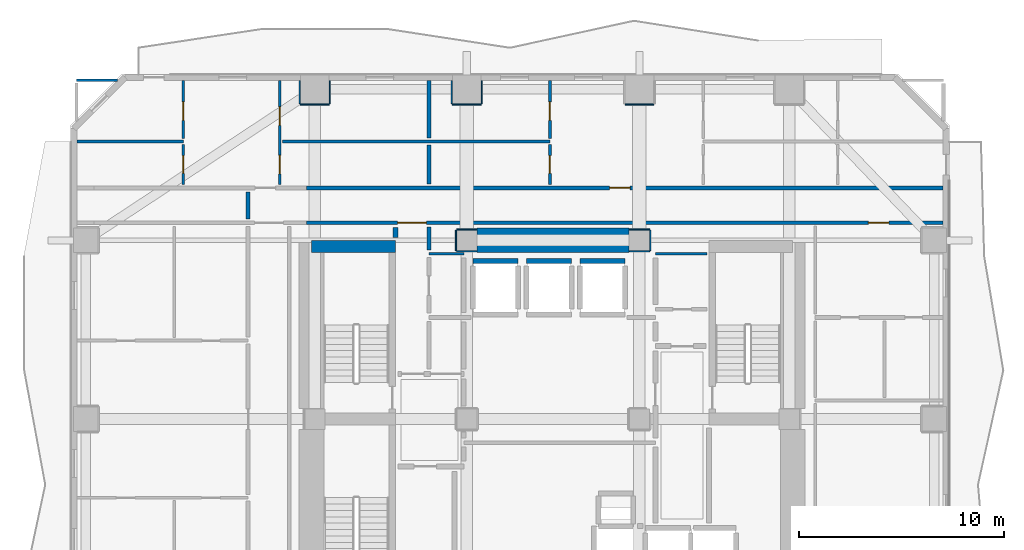
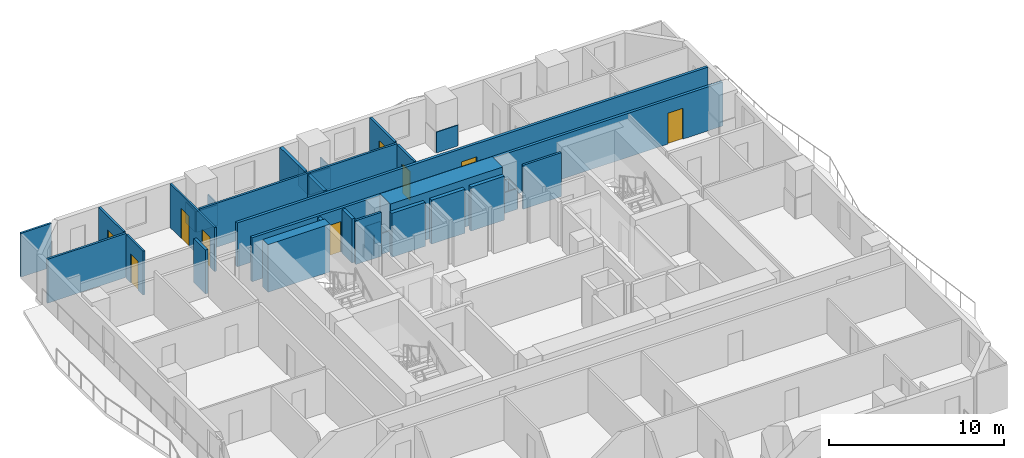
# One storey, part 6 of 11: 35 walls, 9 doors, 9 openings.
"""IFC4 building model written with IfcOpenShell, lengths in metres."""

from ifc_helpers import new_model, si_unit, direction, frame, frame_2d, origin, place, context, subcontext, project, spatial, rectangle, extrude, material, layer, layer_set, type_object, element, fill, save


model = new_model("IFC4")

# Units and contexts
model_context = context("Model", 3, precision=1e-05, world=origin(), true_north=direction((0.0, 1.0)))
body_context = subcontext(model_context, "Body", "Model", "MODEL_VIEW")
ifc_project = project(units=[si_unit("LENGTHUNIT", "METRE"), si_unit("AREAUNIT", "SQUARE_METRE"), si_unit("VOLUMEUNIT", "CUBIC_METRE"), si_unit("PLANEANGLEUNIT", "RADIAN"), si_unit("MASSUNIT", "GRAM", prefix="KILO")], contexts=[model_context])

# Site, building, storey
site_placement = place(None, origin())
site = spatial("IfcSite", under=ifc_project, at=site_placement, CompositionType="ELEMENT")
building_placement = place(site_placement, origin())
building = spatial("IfcBuilding", under=site, at=building_placement, Name="Solanera Arch Residences", CompositionType="ELEMENT")
storey_placement = place(building_placement, frame((0.0, 0.0, 31.9599609375)))
storey = spatial("IfcBuildingStorey", under=building, at=storey_placement, Name="L08", CompositionType="ELEMENT", Elevation=31.9599609375)

# Walls
ifc_material_1 = material(Name="Fire-Rated Gypsum Stud Partition", Category="gypsum")
ifc_layer_1 = layer(ifc_material_1, 0.06005859375)
ifc_layer_set_1 = layer_set([ifc_layer_1], Name="Fire-Rated Gypsum Stud Partition")
wall_type_1 = type_object("IfcWallType", Name="Column Acoustic Furring Wall 60", PredefinedType="PARTITIONING", material=ifc_layer_set_1)
for number, where, z_axis, x_axis, name in (
    (1, (20.300048828125, 38.867919921875, 0.0), (0.0, 0.0, 1.0), (1.0, 0.0, 0.0), "L08 Column Furring 3S"),
    (2, (20.300048828125, 39.931884765625, 0.0), (0.0, 0.0, 1.0), (1.0, 0.0, 0.0), "L08 Column Furring 3N"),
):
    element("IfcWall", number, at=place(storey_placement, frame(where, z_axis=z_axis, x_axis=x_axis)), inside=storey, type_object=wall_type_1, Name=name, PredefinedType="PARTITIONING", context=body_context, shape_type="SweptSolid", body=[
        extrude(rectangle(XDim=0.989990234375, YDim=0.06005859375, at=frame_2d((0.4951171875, 0.0))), origin(), (0.0, 0.0, 1.0), 1.449951171875),
    ])
wall_1_placement = place(storey_placement, frame((20.26806640625, 38.89990234375, 0.0), z_axis=(0.0, 0.0, 1.0), x_axis=(0.0, 1.0, 0.0)))
element("IfcWall", 3, at=wall_1_placement, inside=storey, type_object=wall_type_1, Name="L08 Column Furring 3W", PredefinedType="PARTITIONING", context=body_context, shape_type="SweptSolid", body=[
    extrude(rectangle(XDim=1.0, YDim=0.06005859375, at=frame_2d((0.5, 0.0))), origin(), (0.0, 0.0, 1.0), 1.449951171875),
])
for number, where, z_axis, x_axis, name in (
    (4, (28.7099609375, 38.867919921875, 0.0), (0.0, 0.0, 1.0), (1.0, 0.0, 0.0), "L08 Column Furring 4S"),
    (5, (28.7099609375, 39.931884765625, 0.0), (0.0, 0.0, 1.0), (1.0, 0.0, 0.0), "L08 Column Furring 4N"),
):
    element("IfcWall", number, at=place(storey_placement, frame(where, z_axis=z_axis, x_axis=x_axis)), inside=storey, type_object=wall_type_1, Name=name, PredefinedType="PARTITIONING", context=body_context, shape_type="SweptSolid", body=[
        extrude(rectangle(XDim=0.989990234375, YDim=0.06005859375, at=frame_2d((0.4951171875, 0.0))), origin(), (0.0, 0.0, 1.0), 1.449951171875),
    ])
wall_2_placement = place(storey_placement, frame((29.73193359375, 38.89990234375, 0.0), z_axis=(0.0, 0.0, 1.0), x_axis=(0.0, 1.0, 0.0)))
element("IfcWall", 6, at=wall_2_placement, inside=storey, type_object=wall_type_1, Name="L08 Column Furring 4E", PredefinedType="PARTITIONING", context=body_context, shape_type="SweptSolid", body=[
    extrude(rectangle(XDim=1.0, YDim=0.06005859375, at=frame_2d((0.5, 0.0))), origin(), (0.0, 0.0, 1.0), 1.449951171875),
])
wall_3_placement = place(storey_placement, frame((12.699951171875, 46.01806640625, 0.0), z_axis=(0.0, 0.0, 1.0), x_axis=(1.0, 0.0, 0.0)))
element("IfcWall", 7, at=wall_3_placement, inside=storey, type_object=wall_type_1, Name="L08 Column Furring 10S", PredefinedType="PARTITIONING", context=body_context, shape_type="SweptSolid", body=[
    extrude(rectangle(XDim=1.400146484375, YDim=0.06005859375, at=frame_2d((0.7001953125, 0.0))), origin(), (0.0, 0.0, 1.0), 1.449951171875),
])
for number, where, z_axis, x_axis, name in (
    (8, (12.66796875, 46.050048828125, 0.0), (0.0, 0.0, 1.0), (0.0, 1.0, 0.0), "L08 Column Furring 10W"),
    (9, (14.132080078125, 46.050048828125, 0.0), (0.0, 0.0, 1.0), (0.0, 1.0, 0.0), "L08 Column Furring 10E"),
):
    element("IfcWall", number, at=place(storey_placement, frame(where, z_axis=z_axis, x_axis=x_axis)), inside=storey, type_object=wall_type_1, Name=name, PredefinedType="PARTITIONING", context=body_context, shape_type="SweptSolid", body=[
        extrude(rectangle(XDim=1.119873046875, YDim=0.06005859375, at=frame_2d((0.56005859375, 0.0))), origin(), (0.0, 0.0, 1.0), 1.449951171875),
    ])
wall_4_placement = place(storey_placement, frame((20.10009765625, 46.01806640625, 0.0), z_axis=(0.0, 0.0, 1.0), x_axis=(1.0, 0.0, 0.0)))
element("IfcWall", 10, at=wall_4_placement, inside=storey, type_object=wall_type_1, Name="L08 Column Furring 12S", PredefinedType="PARTITIONING", context=body_context, shape_type="SweptSolid", body=[
    extrude(rectangle(XDim=1.39990234375, YDim=0.06005859375, at=frame_2d((0.699951171875, 0.0))), origin(), (0.0, 0.0, 1.0), 1.449951171875),
])
for number, where, z_axis, x_axis, name in (
    (11, (20.068115234375, 46.050048828125, 0.0), (0.0, 0.0, 1.0), (0.0, 1.0, 0.0), "L08 Column Furring 12W"),
    (12, (21.531982421875, 46.050048828125, 0.0), (0.0, 0.0, 1.0), (0.0, 1.0, 0.0), "L08 Column Furring 12E"),
):
    element("IfcWall", number, at=place(storey_placement, frame(where, z_axis=z_axis, x_axis=x_axis)), inside=storey, type_object=wall_type_1, Name=name, PredefinedType="PARTITIONING", context=body_context, shape_type="SweptSolid", body=[
        extrude(rectangle(XDim=1.119873046875, YDim=0.06005859375, at=frame_2d((0.56005859375, 0.0))), origin(), (0.0, 0.0, 1.0), 1.449951171875),
    ])
wall_5_placement = place(storey_placement, frame((28.5, 46.01806640625, 0.0), z_axis=(0.0, 0.0, 1.0), x_axis=(1.0, 0.0, 0.0)))
element("IfcWall", 13, at=wall_5_placement, inside=storey, type_object=wall_type_1, Name="L08 Column Furring 14S", PredefinedType="PARTITIONING", context=body_context, shape_type="SweptSolid", body=[
    extrude(rectangle(XDim=1.39990234375, YDim=0.06005859375, at=frame_2d((0.699951171875, 0.0))), origin(), (0.0, 0.0, 1.0), 1.449951171875),
])
ifc_material_2 = material(Name="Concrete C55/67 (f'c = 60 MPa)", Category="concrete")
ifc_layer_2 = layer(ifc_material_2, 1.199951171875)
ifc_layer_set_2 = layer_set([ifc_layer_2], Name="Concrete C55/67 (f'c = 60 MPa)")
wall_type_2 = type_object("IfcWallType", Name="Core Shear Wall CW-1200", PredefinedType="SHEAR", material=ifc_layer_set_2)
wall_6_placement = place(storey_placement, frame((21.304931640625, 39.39990234375, 0.0), z_axis=(0.0, 0.0, 1.0), x_axis=(1.0, 0.0, 0.0)))
element("IfcWall", 14, at=wall_6_placement, inside=storey, type_object=wall_type_2, Name="L08 Central North Core Shear Wall", PredefinedType="SHEAR", context=body_context, shape_type="SweptSolid", body=[
    extrude(rectangle(XDim=7.39013671875, YDim=1.199951171875, at=frame_2d((3.695068359375, 0.0))), origin(), (0.0, 0.0, 1.0), 3.320068359375),
])
ifc_material_3 = material(Name="Concrete C40/50 (f'c = 45 MPa)", Category="concrete")
ifc_layer_3 = layer(ifc_material_3, 0.60009765625)
ifc_layer_set_3 = layer_set([ifc_layer_3], Name="Concrete C40/50 (f'c = 45 MPa)")
wall_type_3 = type_object("IfcWallType", Name="Core Shear Wall CW-600", PredefinedType="SHEAR", material=ifc_layer_set_3)
wall_7_placement = place(storey_placement, frame((13.239990234375, 39.10009765625, 0.0), z_axis=(0.0, 0.0, 1.0), x_axis=(1.0, 0.0, 0.0)))
element("IfcWall", 15, at=wall_7_placement, inside=storey, type_object=wall_type_3, Name="L08 North-West Core Shear Wall", PredefinedType="SHEAR", context=body_context, shape_type="SweptSolid", body=[
    extrude(rectangle(XDim=4.080078125, YDim=0.60009765625, at=frame_2d((2.0400390625, 0.0))), origin(), (0.0, 0.0, 1.0), 3.320068359375),
])

# Wall, openings, doors
ifc_material_4 = material(Name="Autoclaved Aerated Concrete Blockwork", Category="masonry")
ifc_layer_4 = layer(ifc_material_4, 0.179931640625)
ifc_layer_set_4 = layer_set([ifc_layer_4], Name="Autoclaved Aerated Concrete Blockwork")
wall_type_4 = type_object("IfcWallType", Name="Corridor Fire Partition 180", PredefinedType="PARTITIONING", material=ifc_layer_set_4)
wall_8_placement = place(storey_placement, frame((12.989013671875, 40.25, 0.0), z_axis=(0.0, 0.0, 1.0), x_axis=(1.0, 0.0, 0.0)))
wall_8 = element("IfcWall", 16, at=wall_8_placement, inside=storey, type_object=wall_type_4, Name="L08 Interior Partition H11 3", PredefinedType="PARTITIONING", context=body_context, shape_type="SweptSolid", body=[
    extrude(rectangle(XDim=30.98388671875, YDim=0.179931640625, at=frame_2d((15.491943359375, 0.0))), origin(), (0.0, 0.0, 1.0), 3.06005859375),
])
opening_1_placement = place(wall_8_placement, frame((4.446044921875, 0.0, 0.0)))
opening_1 = element("IfcOpeningElement", 17, at=opening_1_placement, cuts=wall_8, Name="Opening DF-03", PredefinedType="OPENING", context=body_context, shape_type="SweptSolid", body=[
    extrude(rectangle(XDim=1.39990234375, YDim=2.14990234375, at=frame_2d((0.699951171875, 1.074951171875))), frame((0.0, 0.10009765625, 0.0), z_axis=(0.0, -1.0, 0.0), x_axis=(1.0, 0.0, 0.0)), (0.0, 0.0, 1.0), 0.1999),
])
opening_2_placement = place(wall_8_placement, frame((27.362060546875, 0.0, 0.0)))
opening_2 = element("IfcOpeningElement", 18, at=opening_2_placement, cuts=wall_8, Name="Opening DI-01", PredefinedType="OPENING", context=body_context, shape_type="SweptSolid", body=[
    extrude(rectangle(XDim=1.0, YDim=2.14990234375, at=frame_2d((0.5, 1.074951171875))), frame((0.0, 0.10009765625, 0.0), z_axis=(0.0, -1.0, 0.0), x_axis=(1.0, 0.0, 0.0)), (0.0, 0.0, 1.0), 0.1999),
])
ifc_material_5 = material(Name="Fire-Rated Architectural Hardwood", Category="wood")
door_type_1 = type_object("IfcDoorType", Name="Corridor Smoke Door DF-03", OperationType="NOTDEFINED", PredefinedType="DOOR", material=ifc_material_5)
door_1_placement = place(opening_1_placement, origin())
door_1 = element("IfcDoor", 19, at=door_1_placement, inside=storey, type_object=door_type_1, Name="DR-L08-IN-009", OperationType="SINGLE_SWING_RIGHT", OverallHeight=2.14990234375, OverallWidth=1.39990234375, PredefinedType="DOOR", context=body_context, shape_type="SweptSolid", body=[
    extrude(rectangle(XDim=1.39990234375, YDim=2.14990234375, at=frame_2d((0.699951171875, 1.074951171875))), frame((0.0, 0.02490234375, 0.0), z_axis=(0.0, -1.0, 0.0), x_axis=(1.0, 0.0, 0.0)), (0.0, 0.0, 1.0), 0.050048828125),
])
fill(opening_1, door_1)
ifc_material_6 = material(Name="Fire-Rated Architectural Hardwood", Category="wood")
door_type_2 = type_object("IfcDoorType", Name="Unit Entrance Fire Door DI-01", OperationType="NOTDEFINED", PredefinedType="DOOR", material=ifc_material_6)
door_2_placement = place(opening_2_placement, origin())
door_2 = element("IfcDoor", 20, at=door_2_placement, inside=storey, type_object=door_type_2, Name="DR-L08-IN-046", OperationType="SINGLE_SWING_LEFT", OverallHeight=2.14990234375, OverallWidth=1.0, PredefinedType="DOOR", context=body_context, shape_type="SweptSolid", body=[
    extrude(rectangle(XDim=1.0, YDim=2.14990234375, at=frame_2d((0.5, 1.074951171875))), frame((0.0, 0.02490234375, 0.0), z_axis=(0.0, -1.0, 0.0), x_axis=(1.0, 0.0, 0.0)), (0.0, 0.0, 1.0), 0.050048828125),
])
fill(opening_2, door_2)

# Wall, opening, door
wall_9_placement = place(storey_placement, frame((12.989013671875, 41.949951171875, 0.0), z_axis=(0.0, 0.0, 1.0), x_axis=(1.0, 0.0, 0.0)))
wall_9 = element("IfcWall", 21, at=wall_9_placement, inside=storey, type_object=wall_type_4, Name="L08 Interior Partition H12 3", PredefinedType="PARTITIONING", context=body_context, shape_type="SweptSolid", body=[
    extrude(rectangle(XDim=30.98388671875, YDim=0.179931640625, at=frame_2d((15.491943359375, 0.0))), origin(), (0.0, 0.0, 1.0), 3.06005859375),
])
opening_3_placement = place(wall_9_placement, frame((14.764892578125, 0.0, 0.0)))
opening_3 = element("IfcOpeningElement", 22, at=opening_3_placement, cuts=wall_9, Name="Opening DI-01", PredefinedType="OPENING", context=body_context, shape_type="SweptSolid", body=[
    extrude(rectangle(XDim=1.0, YDim=2.14990234375, at=frame_2d((0.5, 1.074951171875))), frame((0.0, 0.10009765625, 0.0), z_axis=(0.0, -1.0, 0.0), x_axis=(1.0, 0.0, 0.0)), (0.0, 0.0, 1.0), 0.1999),
])
door_3_placement = place(opening_3_placement, origin())
door_3 = element("IfcDoor", 23, at=door_3_placement, inside=storey, type_object=door_type_2, Name="DR-L08-IN-033", OperationType="SINGLE_SWING_RIGHT", OverallHeight=2.14990234375, OverallWidth=1.0, PredefinedType="DOOR", context=body_context, shape_type="SweptSolid", body=[
    extrude(rectangle(XDim=1.0, YDim=2.14990234375, at=frame_2d((0.5, 1.074951171875))), frame((0.0, 0.02490234375, 0.0), z_axis=(0.0, -1.0, 0.0), x_axis=(1.0, 0.0, 0.0)), (0.0, 0.0, 1.0), 0.050048828125),
])
fill(opening_3, door_3)

# Walls
wall_10_placement = place(storey_placement, frame((10.14990234375, 40.43798828125, 0.0), z_axis=(0.0, 0.0, 1.0), x_axis=(0.0, 1.0, 0.0)))
element("IfcWall", 24, at=wall_10_placement, inside=storey, type_object=wall_type_4, Name="L08 Interior Partition V8 5", PredefinedType="PARTITIONING", context=body_context, shape_type="SweptSolid", body=[
    extrude(rectangle(XDim=1.323974609375, YDim=0.179931640625, at=frame_2d((0.662109375, 0.0))), origin(), (0.0, 0.0, 1.0), 3.06005859375),
])
ifc_material_7 = material(Name="Autoclaved Aerated Concrete Blockwork", Category="masonry")
ifc_layer_5 = layer(ifc_material_7, 0.199951171875)
ifc_layer_set_5 = layer_set([ifc_layer_5], Name="Autoclaved Aerated Concrete Blockwork")
wall_type_5 = type_object("IfcWallType", Name="Party Wall Acoustic 200", PredefinedType="PARTITIONING", material=ifc_layer_set_5)
wall_11_placement = place(storey_placement, frame((18.949951171875, 38.927978515625, 0.0), z_axis=(0.0, 0.0, 1.0), x_axis=(0.0, 1.0, 0.0)))
element("IfcWall", 25, at=wall_11_placement, inside=storey, type_object=wall_type_5, Name="L08 Interior Partition V6 3", PredefinedType="PARTITIONING", context=body_context, shape_type="SweptSolid", body=[
    extrude(rectangle(XDim=1.1240234375, YDim=0.199951171875, at=frame_2d((0.56201171875, 0.0))), origin(), (0.0, 0.0, 1.0), 3.06005859375),
])
wall_12_placement = place(storey_placement, frame((18.949951171875, 42.14794921875, 0.0), z_axis=(0.0, 0.0, 1.0), x_axis=(0.0, 1.0, 0.0)))
element("IfcWall", 26, at=wall_12_placement, inside=storey, type_object=wall_type_5, Name="L08 Interior Partition V7 1", PredefinedType="PARTITIONING", context=body_context, shape_type="SweptSolid", body=[
    extrude(rectangle(XDim=1.882080078125, YDim=0.199951171875, at=frame_2d((0.94091796875, 0.0))), origin(), (0.0, 0.0, 1.0), 3.06005859375),
])
wall_13_placement = place(storey_placement, frame((18.949951171875, 44.385986328125, 0.0), z_axis=(0.0, 0.0, 1.0), x_axis=(0.0, 1.0, 0.0)))
element("IfcWall", 27, at=wall_13_placement, inside=storey, type_object=wall_type_5, Name="L08 Interior Partition V7 2", PredefinedType="PARTITIONING", context=body_context, shape_type="SweptSolid", body=[
    extrude(rectangle(XDim=2.787109375, YDim=0.199951171875, at=frame_2d((1.3935546875, 0.0))), origin(), (0.0, 0.0, 1.0), 3.06005859375),
])
ifc_material_8 = material(Name="Autoclaved Aerated Concrete Blockwork", Category="masonry")
ifc_layer_6 = layer(ifc_material_8, 0.239990234375)
ifc_layer_set_6 = layer_set([ifc_layer_6], Name="Autoclaved Aerated Concrete Blockwork")
wall_type_6 = type_object("IfcWallType", Name="Shaft Wall Fire-Rated 240", PredefinedType="PARTITIONING", material=ifc_layer_set_6)
for number, where, z_axis, x_axis, name in (
    (28, (21.10009765625, 38.39990234375, 0.0), (0.0, 0.0, 1.0), (1.0, 0.0, 0.0), "L08 Lift PL-L1 Hoistway Wall N"),
    (29, (23.699951171875, 38.39990234375, 0.0), (0.0, 0.0, 1.0), (1.0, 0.0, 0.0), "L08 Lift PL-L2 Hoistway Wall N"),
    (30, (26.300048828125, 38.39990234375, 0.0), (0.0, 0.0, 1.0), (1.0, 0.0, 0.0), "L08 Lift PL-L3 Hoistway Wall N"),
):
    element("IfcWall", number, at=place(storey_placement, frame(where, z_axis=z_axis, x_axis=x_axis)), inside=storey, type_object=wall_type_6, Name=name, PredefinedType="PARTITIONING", context=body_context, shape_type="SweptSolid", body=[
        extrude(rectangle(XDim=2.199951171875, YDim=0.239990234375, at=frame_2d((1.10009765625, 0.0))), origin(), (0.0, 0.0, 1.0), 3.06005859375),
    ])
wall_14_placement = place(storey_placement, frame((17.320068359375, 39.530029296875, 0.0), z_axis=(0.0, 0.0, 1.0), x_axis=(0.0, 1.0, 0.0)))
element("IfcWall", 31, at=wall_14_placement, inside=storey, type_object=wall_type_6, Name="L08 Interior Partition V1", PredefinedType="PARTITIONING", context=body_context, shape_type="SweptSolid", body=[
    extrude(rectangle(XDim=0.501953125, YDim=0.239990234375, at=frame_2d((0.2509765625, 0.0))), origin(), (0.0, 0.0, 1.0), 3.06005859375),
])
ifc_material_9 = material(Name="Fire-Rated Gypsum Stud Partition", Category="gypsum")
ifc_layer_7 = layer(ifc_material_9, 0.1201171875)
ifc_layer_set_7 = layer_set([ifc_layer_7], Name="Fire-Rated Gypsum Stud Partition")
wall_type_7 = type_object("IfcWallType", Name="Unit Drywall Partition 120", PredefinedType="PARTITIONING", material=ifc_layer_set_7)
wall_15_placement = place(storey_placement, frame((1.800048828125, 47.199951171875, 0.0), z_axis=(0.0, 0.0, 1.0), x_axis=(1.0, 0.0, 0.0)))
element("IfcWall", 32, at=wall_15_placement, inside=storey, type_object=wall_type_7, Name="L08 Interior Partition H24 1", PredefinedType="PARTITIONING", context=body_context, shape_type="SweptSolid", body=[
    extrude(rectangle(XDim=2.0009765625, YDim=0.1201171875, at=frame_2d((1.00048828125, 0.0))), origin(), (0.0, 0.0, 1.0), 3.06005859375),
])

# Wall, openings, doors
wall_16_placement = place(storey_placement, frame((11.68798828125, 42.10791015625, 0.0), z_axis=(0.0, 0.0, 1.0), x_axis=(0.0, 1.0, 0.0)))
wall_16 = element("IfcWall", 33, at=wall_16_placement, inside=storey, type_object=wall_type_7, Name="L08 Interior Partition V23", PredefinedType="PARTITIONING", context=body_context, shape_type="SweptSolid", body=[
    extrude(rectangle(XDim=5.065185546875, YDim=0.1201171875, at=frame_2d((2.53271484375, 0.0))), origin(), (0.0, 0.0, 1.0), 3.06005859375),
])
opening_4_placement = place(wall_16_placement, frame((0.533935546875, 0.0, 0.0)))
opening_4 = element("IfcOpeningElement", 34, at=opening_4_placement, cuts=wall_16, Name="Opening DI-02", PredefinedType="OPENING", context=body_context, shape_type="SweptSolid", body=[
    extrude(rectangle(XDim=0.89990234375, YDim=2.10009765625, at=frame_2d((0.449951171875, 1.050048828125))), frame((0.0, 0.070068359375, 0.0), z_axis=(0.0, -1.0, 0.0), x_axis=(1.0, 0.0, 0.0)), (0.0, 0.0, 1.0), 0.1401),
])
opening_5_placement = place(wall_16_placement, frame((2.89306640625, 0.0, 0.0)))
opening_5 = element("IfcOpeningElement", 35, at=opening_5_placement, cuts=wall_16, Name="Opening DI-03", PredefinedType="OPENING", context=body_context, shape_type="SweptSolid", body=[
    extrude(rectangle(XDim=0.89990234375, YDim=2.10009765625, at=frame_2d((0.449951171875, 1.050048828125))), frame((0.0, 0.070068359375, 0.0), z_axis=(0.0, -1.0, 0.0), x_axis=(1.0, 0.0, 0.0)), (0.0, 0.0, 1.0), 0.1401),
])
ifc_material_10 = material(Name="Fire-Rated Architectural Hardwood", Category="wood")
door_type_3 = type_object("IfcDoorType", Name="Bedroom Swing Door DI-03", OperationType="NOTDEFINED", PredefinedType="DOOR", material=ifc_material_10)
door_4_placement = place(opening_5_placement, origin())
door_4 = element("IfcDoor", 36, at=door_4_placement, inside=storey, type_object=door_type_3, Name="DR-L08-IN-032", OperationType="SINGLE_SWING_LEFT", OverallHeight=2.10009765625, OverallWidth=0.89990234375, PredefinedType="DOOR", context=body_context, shape_type="SweptSolid", body=[
    extrude(rectangle(XDim=0.89990234375, YDim=2.10009765625, at=frame_2d((0.449951171875, 1.050048828125))), frame((0.0, 0.02490234375, 0.0), z_axis=(0.0, -1.0, 0.0), x_axis=(1.0, 0.0, 0.0)), (0.0, 0.0, 1.0), 0.050048828125),
])
fill(opening_5, door_4)
ifc_material_11 = material(Name="Fire-Rated Architectural Hardwood", Category="wood")
door_type_4 = type_object("IfcDoorType", Name="Suite Room Swing Door DI-02", OperationType="NOTDEFINED", PredefinedType="DOOR", material=ifc_material_11)
door_5_placement = place(opening_4_placement, origin())
door_5 = element("IfcDoor", 37, at=door_5_placement, inside=storey, type_object=door_type_4, Name="DR-L08-IN-031", OperationType="SINGLE_SWING_RIGHT", OverallHeight=2.10009765625, OverallWidth=0.89990234375, PredefinedType="DOOR", context=body_context, shape_type="SweptSolid", body=[
    extrude(rectangle(XDim=0.89990234375, YDim=2.10009765625, at=frame_2d((0.449951171875, 1.050048828125))), frame((0.0, 0.02490234375, 0.0), z_axis=(0.0, -1.0, 0.0), x_axis=(1.0, 0.0, 0.0)), (0.0, 0.0, 1.0), 0.050048828125),
])
fill(opening_4, door_5)

# Walls
ifc_material_12 = material(Name="Autoclaved Aerated Concrete Blockwork", Category="masonry")
ifc_layer_8 = layer(ifc_material_12, 0.139892578125)
ifc_layer_set_8 = layer_set([ifc_layer_8], Name="Autoclaved Aerated Concrete Blockwork")
wall_type_8 = type_object("IfcWallType", Name="Wet-Room Partition 140", PredefinedType="PARTITIONING", material=ifc_layer_set_8)
wall_17_placement = place(storey_placement, frame((18.949951171875, 38.75, 0.0), z_axis=(0.0, 0.0, 1.0), x_axis=(1.0, 0.0, 0.0)))
element("IfcWall", 38, at=wall_17_placement, inside=storey, type_object=wall_type_8, Name="L08 Interior Partition H17", PredefinedType="PARTITIONING", context=body_context, shape_type="SweptSolid", body=[
    extrude(rectangle(XDim=1.699951171875, YDim=0.139892578125, at=frame_2d((0.85009765625, 0.0))), origin(), (0.0, 0.0, 1.0), 3.06005859375),
])
wall_18_placement = place(storey_placement, frame((29.97509765625, 38.75, 0.0), z_axis=(0.0, 0.0, 1.0), x_axis=(1.0, 0.0, 0.0)))
element("IfcWall", 39, at=wall_18_placement, inside=storey, type_object=wall_type_8, Name="L08 Interior Partition H18", PredefinedType="PARTITIONING", context=body_context, shape_type="SweptSolid", body=[
    extrude(rectangle(XDim=2.52490234375, YDim=0.139892578125, at=frame_2d((1.262451171875, 0.0))), origin(), (0.0, 0.0, 1.0), 3.06005859375),
])
wall_19_placement = place(storey_placement, frame((1.826904296875, 44.2080078125, 0.0), z_axis=(0.0, 0.0, 1.0), x_axis=(1.0, 0.0, 0.0)))
element("IfcWall", 40, at=wall_19_placement, inside=storey, type_object=wall_type_8, Name="L08 Interior Partition H19", PredefinedType="PARTITIONING", context=body_context, shape_type="SweptSolid", body=[
    extrude(rectangle(XDim=5.169189453125, YDim=0.139892578125, at=frame_2d((2.58447265625, 0.0))), origin(), (0.0, 0.0, 1.0), 3.06005859375),
])
wall_20_placement = place(storey_placement, frame((11.820068359375, 44.2080078125, 0.0), z_axis=(0.0, 0.0, 1.0), x_axis=(1.0, 0.0, 0.0)))
element("IfcWall", 41, at=wall_20_placement, inside=storey, type_object=wall_type_8, Name="L08 Interior Partition H20", PredefinedType="PARTITIONING", context=body_context, shape_type="SweptSolid", body=[
    extrude(rectangle(XDim=13.02197265625, YDim=0.139892578125, at=frame_2d((6.510986328125, 0.0))), origin(), (0.0, 0.0, 1.0), 3.06005859375),
])

# Wall, opening, door
wall_21_placement = place(storey_placement, frame((6.99609375, 42.117919921875, 0.0), z_axis=(0.0, 0.0, 1.0), x_axis=(0.0, 1.0, 0.0)))
wall_21 = element("IfcWall", 42, at=wall_21_placement, inside=storey, type_object=wall_type_8, Name="L08 Interior Partition V17 1", PredefinedType="PARTITIONING", context=body_context, shape_type="SweptSolid", body=[
    extrude(rectangle(XDim=1.942138671875, YDim=0.139892578125, at=frame_2d((0.97119140625, 0.0))), origin(), (0.0, 0.0, 1.0), 3.06005859375),
])
opening_6_placement = place(wall_21_placement, frame((0.5439453125, 0.0, 0.0)))
opening_6 = element("IfcOpeningElement", 43, at=opening_6_placement, cuts=wall_21, Name="Opening DI-05", PredefinedType="OPENING", context=body_context, shape_type="SweptSolid", body=[
    extrude(rectangle(XDim=0.860107421875, YDim=2.02001953125, at=frame_2d((0.43017578125, 1.010009765625))), frame((0.0, 0.079833984375, 0.0), z_axis=(0.0, -1.0, 0.0), x_axis=(1.0, 0.0, 0.0)), (0.0, 0.0, 1.0), 0.1599),
])
ifc_material_13 = material(Name="Fire-Rated Architectural Hardwood", Category="wood")
door_type_5 = type_object("IfcDoorType", Name="Bathroom Swing Door DI-05", OperationType="NOTDEFINED", PredefinedType="DOOR", material=ifc_material_13)
door_6_placement = place(opening_6_placement, origin())
door_6 = element("IfcDoor", 44, at=door_6_placement, inside=storey, type_object=door_type_5, Name="DR-L08-IN-029", OperationType="SINGLE_SWING_RIGHT", OverallHeight=2.02001953125, OverallWidth=0.860107421875, PredefinedType="DOOR", context=body_context, shape_type="SweptSolid", body=[
    extrude(rectangle(XDim=0.860107421875, YDim=2.02001953125, at=frame_2d((0.43017578125, 1.010009765625))), frame((0.0, 0.02490234375, 0.0), z_axis=(0.0, -1.0, 0.0), x_axis=(1.0, 0.0, 0.0)), (0.0, 0.0, 1.0), 0.050048828125),
])
fill(opening_6, door_6)

wall_22_placement = place(storey_placement, frame((6.99609375, 44.35595703125, 0.0), z_axis=(0.0, 0.0, 1.0), x_axis=(0.0, 1.0, 0.0)))
wall_22 = element("IfcWall", 45, at=wall_22_placement, inside=storey, type_object=wall_type_8, Name="L08 Interior Partition V17 2", PredefinedType="PARTITIONING", context=body_context, shape_type="SweptSolid", body=[
    extrude(rectangle(XDim=2.817138671875, YDim=0.139892578125, at=frame_2d((1.40869140625, 0.0))), origin(), (0.0, 0.0, 1.0), 3.06005859375),
])
opening_7_placement = place(wall_22_placement, frame((0.885009765625, 0.0, 0.0)))
opening_7 = element("IfcOpeningElement", 46, at=opening_7_placement, cuts=wall_22, Name="Opening DI-03", PredefinedType="OPENING", context=body_context, shape_type="SweptSolid", body=[
    extrude(rectangle(XDim=0.89990234375, YDim=2.10009765625, at=frame_2d((0.449951171875, 1.050048828125))), frame((0.0, 0.079833984375, 0.0), z_axis=(0.0, -1.0, 0.0), x_axis=(1.0, 0.0, 0.0)), (0.0, 0.0, 1.0), 0.1599),
])
door_7_placement = place(opening_7_placement, origin())
door_7 = element("IfcDoor", 47, at=door_7_placement, inside=storey, type_object=door_type_3, Name="DR-L08-IN-030", OperationType="SINGLE_SWING_LEFT", OverallHeight=2.10009765625, OverallWidth=0.89990234375, PredefinedType="DOOR", context=body_context, shape_type="SweptSolid", body=[
    extrude(rectangle(XDim=0.89990234375, YDim=2.10009765625, at=frame_2d((0.449951171875, 1.050048828125))), frame((0.0, 0.02490234375, 0.0), z_axis=(0.0, -1.0, 0.0), x_axis=(1.0, 0.0, 0.0)), (0.0, 0.0, 1.0), 0.050048828125),
])
fill(opening_7, door_7)

wall_23_placement = place(storey_placement, frame((24.842041015625, 42.117919921875, 0.0), z_axis=(0.0, 0.0, 1.0), x_axis=(0.0, 1.0, 0.0)))
wall_23 = element("IfcWall", 48, at=wall_23_placement, inside=storey, type_object=wall_type_8, Name="L08 Interior Partition V19 1", PredefinedType="PARTITIONING", context=body_context, shape_type="SweptSolid", body=[
    extrude(rectangle(XDim=1.942138671875, YDim=0.139892578125, at=frame_2d((0.97119140625, 0.0))), origin(), (0.0, 0.0, 1.0), 3.06005859375),
])
opening_8_placement = place(wall_23_placement, frame((0.5439453125, 0.0, 0.0)))
opening_8 = element("IfcOpeningElement", 49, at=opening_8_placement, cuts=wall_23, Name="Opening DI-05", PredefinedType="OPENING", context=body_context, shape_type="SweptSolid", body=[
    extrude(rectangle(XDim=0.860107421875, YDim=2.02001953125, at=frame_2d((0.43017578125, 1.010009765625))), frame((0.0, 0.079833984375, 0.0), z_axis=(0.0, -1.0, 0.0), x_axis=(1.0, 0.0, 0.0)), (0.0, 0.0, 1.0), 0.1599),
])
door_8_placement = place(opening_8_placement, origin())
door_8 = element("IfcDoor", 50, at=door_8_placement, inside=storey, type_object=door_type_5, Name="DR-L08-IN-034", OperationType="SINGLE_SWING_LEFT", OverallHeight=2.02001953125, OverallWidth=0.860107421875, PredefinedType="DOOR", context=body_context, shape_type="SweptSolid", body=[
    extrude(rectangle(XDim=0.860107421875, YDim=2.02001953125, at=frame_2d((0.43017578125, 1.010009765625))), frame((0.0, 0.02490234375, 0.0), z_axis=(0.0, -1.0, 0.0), x_axis=(1.0, 0.0, 0.0)), (0.0, 0.0, 1.0), 0.050048828125),
])
fill(opening_8, door_8)

wall_24_placement = place(storey_placement, frame((24.842041015625, 44.35595703125, 0.0), z_axis=(0.0, 0.0, 1.0), x_axis=(0.0, 1.0, 0.0)))
wall_24 = element("IfcWall", 51, at=wall_24_placement, inside=storey, type_object=wall_type_8, Name="L08 Interior Partition V19 2", PredefinedType="PARTITIONING", context=body_context, shape_type="SweptSolid", body=[
    extrude(rectangle(XDim=2.817138671875, YDim=0.139892578125, at=frame_2d((1.40869140625, 0.0))), origin(), (0.0, 0.0, 1.0), 3.06005859375),
])
opening_9_placement = place(wall_24_placement, frame((0.885009765625, 0.0, 0.0)))
opening_9 = element("IfcOpeningElement", 52, at=opening_9_placement, cuts=wall_24, Name="Opening DI-03", PredefinedType="OPENING", context=body_context, shape_type="SweptSolid", body=[
    extrude(rectangle(XDim=0.89990234375, YDim=2.10009765625, at=frame_2d((0.449951171875, 1.050048828125))), frame((0.0, 0.079833984375, 0.0), z_axis=(0.0, -1.0, 0.0), x_axis=(1.0, 0.0, 0.0)), (0.0, 0.0, 1.0), 0.1599),
])
door_9_placement = place(opening_9_placement, origin())
door_9 = element("IfcDoor", 53, at=door_9_placement, inside=storey, type_object=door_type_3, Name="DR-L08-IN-035", OperationType="SINGLE_SWING_RIGHT", OverallHeight=2.10009765625, OverallWidth=0.89990234375, PredefinedType="DOOR", context=body_context, shape_type="SweptSolid", body=[
    extrude(rectangle(XDim=0.89990234375, YDim=2.10009765625, at=frame_2d((0.449951171875, 1.050048828125))), frame((0.0, 0.02490234375, 0.0), z_axis=(0.0, -1.0, 0.0), x_axis=(1.0, 0.0, 0.0)), (0.0, 0.0, 1.0), 0.050048828125),
])
fill(opening_9, door_9)

save(model, "model.ifc")
